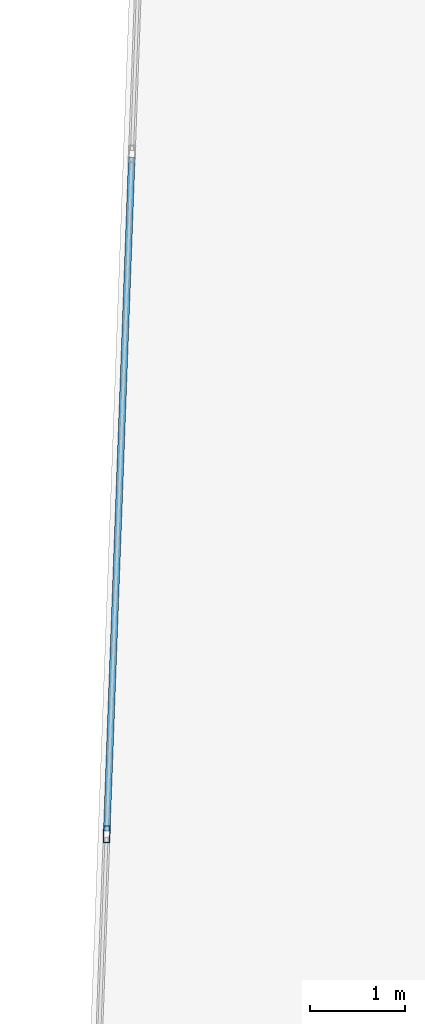
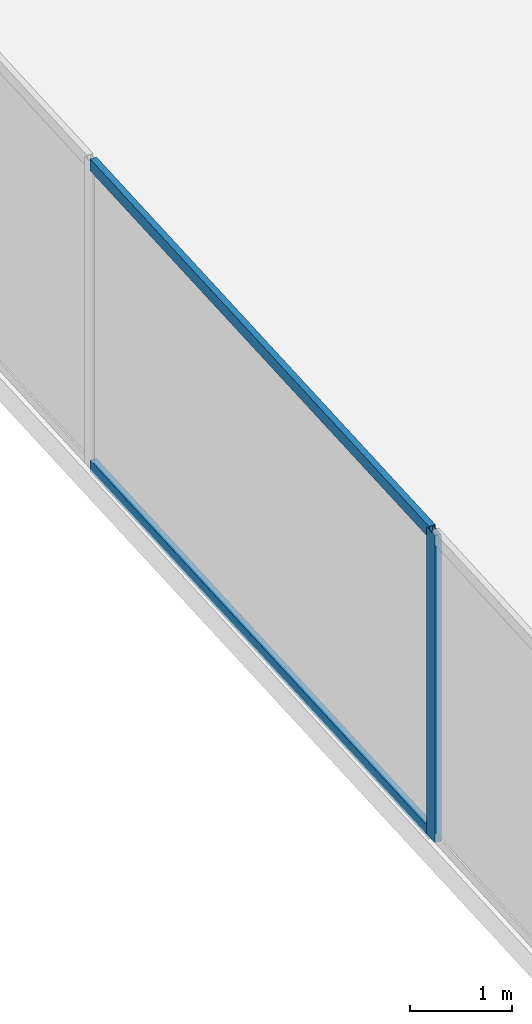
# One storey, part 10 of 30: 3 members, 1 element without a shape of its own.
"""IFC4 building model written with IfcOpenShell, lengths in metres."""

from ifc_helpers import new_model, si_unit, direction, frame, origin, origin_2d, place, context, subcontext, project, spatial, hollow_rectangle, extrude, source, transform, mapped, material, material_profile, profile_set, type_object, type_shapes, element, aggregate, save


model = new_model("IFC4")

# Units and contexts
model_context = context("Model", 3, precision=1e-05, world=origin(), true_north=direction((0.0, 1.0)))
body_context = subcontext(model_context, "Body", "Model", "MODEL_VIEW")
ifc_project = project(units=[si_unit("LENGTHUNIT", "METRE"), si_unit("AREAUNIT", "SQUARE_METRE"), si_unit("VOLUMEUNIT", "CUBIC_METRE"), si_unit("PLANEANGLEUNIT", "RADIAN"), si_unit("MASSUNIT", "GRAM", prefix="KILO")], contexts=[model_context])

# Site, building, storey
site_placement = place(None, origin())
site = spatial("IfcSite", under=ifc_project, at=site_placement, CompositionType="ELEMENT")
building_placement = place(site_placement, origin())
building = spatial("IfcBuilding", under=site, at=building_placement, Name="Krantzveldt Concourse Tower", CompositionType="ELEMENT")
storey_placement = place(building_placement, frame((0.0, 0.0, 40.800048828125)))
storey = spatial("IfcBuildingStorey", under=building, at=storey_placement, Name="L09", CompositionType="ELEMENT", Elevation=40.800048828125)

# Curtain wall, members
ifc_material = material(Name="Anodised aluminium 6063-T6", Category="aluminium")
curtain_wall_type = type_object("IfcCurtainWallType", Name="CW2", PredefinedType="USERDEFINED", material=ifc_material)
curtain_wall_placement = place(storey_placement, origin())
curtain_wall = element("IfcCurtainWall", 1, at=curtain_wall_placement, inside=storey, type_object=curtain_wall_type, Name="CW-L09-F01", ObjectType="UNITISED CURTAIN WALL", PredefinedType="USERDEFINED")
ifc_material_profile_1 = material_profile(ifc_material, hollow_rectangle(XDim=0.070068359375, YDim=0.179931640625, WallThickness=0.0048828125, at=origin_2d()), Name="Anodised aluminium 6063-T6", Category="aluminium")
ifc_profile_set_1 = profile_set([ifc_material_profile_1], Name="Anodised aluminium 6063-T6 - ALU-MULL 180x70x5")
member_type_1 = type_object("IfcMemberType", Name="CW-MUL-180", PredefinedType="MULLION", material=ifc_profile_set_1)
shared_shape_1 = source(origin(), body_context, "Body", "SweptSolid", [
    extrude(hollow_rectangle(XDim=0.070068359375, YDim=0.179931640625, WallThickness=0.0048828125, at=origin_2d()), origin(), (0.0, 0.0, 1.0), 3.669921875),
])
type_shapes(member_type_1, [shared_shape_1])
member_1_placement = place(storey_placement, frame((11.107177734375, 27.62353515625, 0.0), z_axis=(0.0, 0.0, 1.0), x_axis=(0.999312308986, -0.037079766834, 0.0)))
member_1 = element("IfcMember", 2, at=member_1_placement, type_object=member_type_1, Name="CW-Z12 mullion 4", PredefinedType="MULLION", context=body_context, shape_type="MappedRepresentation", body=[
    mapped(shared_shape_1, transform((0.0, 0.0, 0.0), x_axis=(1.0, 0.0, 0.0), y_axis=(0.0, 1.0, 0.0), z_axis=(0.0, 0.0, 1.0), scale=1.0)),
])
ifc_material_profile_2 = material_profile(ifc_material, hollow_rectangle(XDim=0.070068359375, YDim=0.139892578125, WallThickness=0.0048828125, at=origin_2d()), Name="Anodised aluminium 6063-T6", Category="aluminium")
ifc_profile_set_2 = profile_set([ifc_material_profile_2], Name="Anodised aluminium 6063-T6 - ALU-TRAN 140x70x5")
member_type_2 = type_object("IfcMemberType", Name="CW-TRN-150", PredefinedType="USERDEFINED", material=ifc_profile_set_2)
shared_shape_2 = source(origin(), body_context, "Body", "SweptSolid", [
    extrude(hollow_rectangle(XDim=0.070068359375, YDim=0.139892578125, WallThickness=0.0048828125, at=origin_2d()), origin(), (0.0, 0.0, 1.0), 7.0966796875),
])
type_shapes(member_type_2, [shared_shape_2])
member_2_placement = place(storey_placement, frame((11.37158203125, 34.75048828125, 0.034912109375), z_axis=(-0.037085459975, -0.999312097724, 0.0), x_axis=(0.999312097724, -0.037085459975, 0.0)))
member_2 = element("IfcMember", 3, at=member_2_placement, type_object=member_type_2, Name="CW-Z12 transom 3.1", ObjectType="TRANSOM", PredefinedType="USERDEFINED", context=body_context, shape_type="MappedRepresentation", body=[
    mapped(shared_shape_2, transform((0.0, 0.0, 0.0), x_axis=(1.0, 0.0, 0.0), y_axis=(0.0, 1.0, 0.0), z_axis=(0.0, 0.0, 1.0), scale=1.0)),
])
member_3_placement = place(storey_placement, frame((11.37158203125, 34.75048828125, 3.635009765625), z_axis=(-0.037085459975, -0.999312097724, 0.0), x_axis=(0.999312097724, -0.037085459975, 0.0)))
member_3 = element("IfcMember", 4, at=member_3_placement, type_object=member_type_2, Name="CW-Z12 transom 3.2", ObjectType="TRANSOM", PredefinedType="USERDEFINED", context=body_context, shape_type="MappedRepresentation", body=[
    mapped(shared_shape_2, transform((0.0, 0.0, 0.0), x_axis=(1.0, 0.0, 0.0), y_axis=(0.0, 1.0, 0.0), z_axis=(0.0, 0.0, 1.0), scale=1.0)),
])
aggregate(curtain_wall, [member_1, member_2, member_3])

save(model, "model.ifc")
